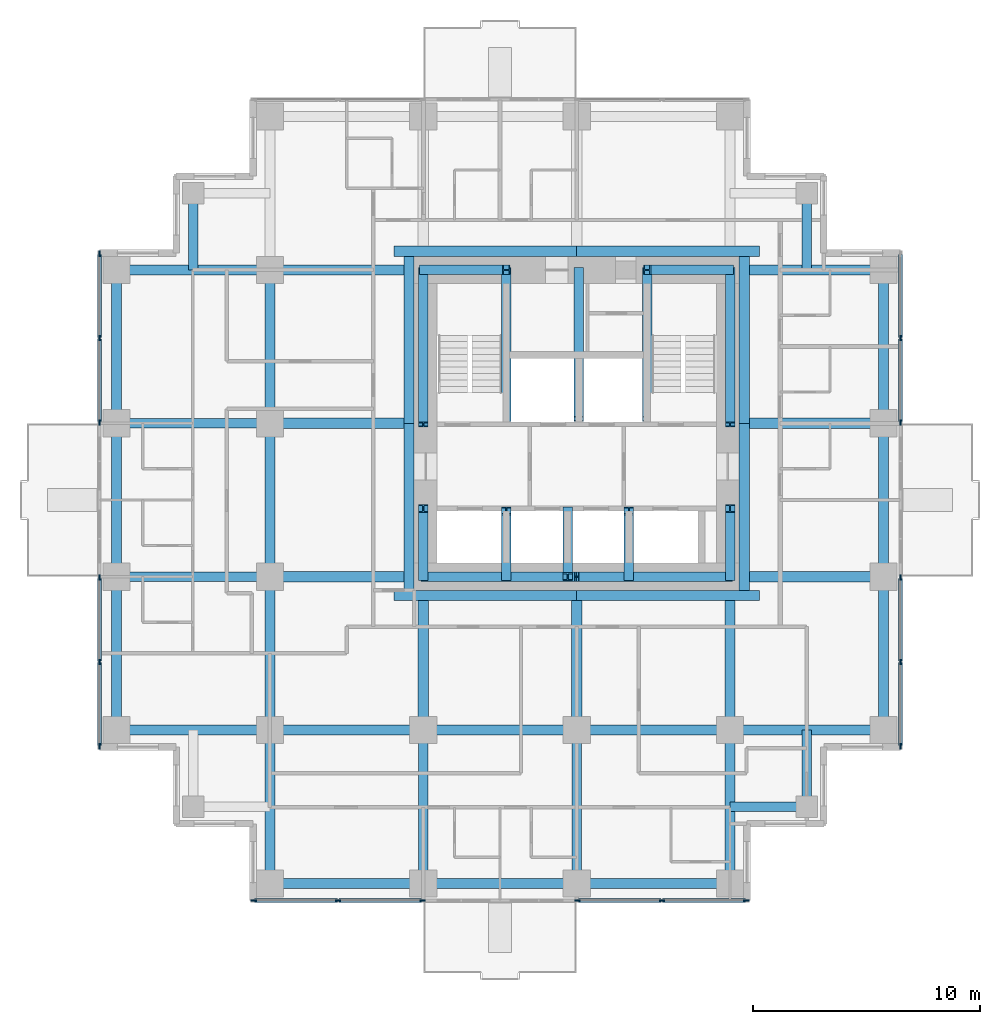
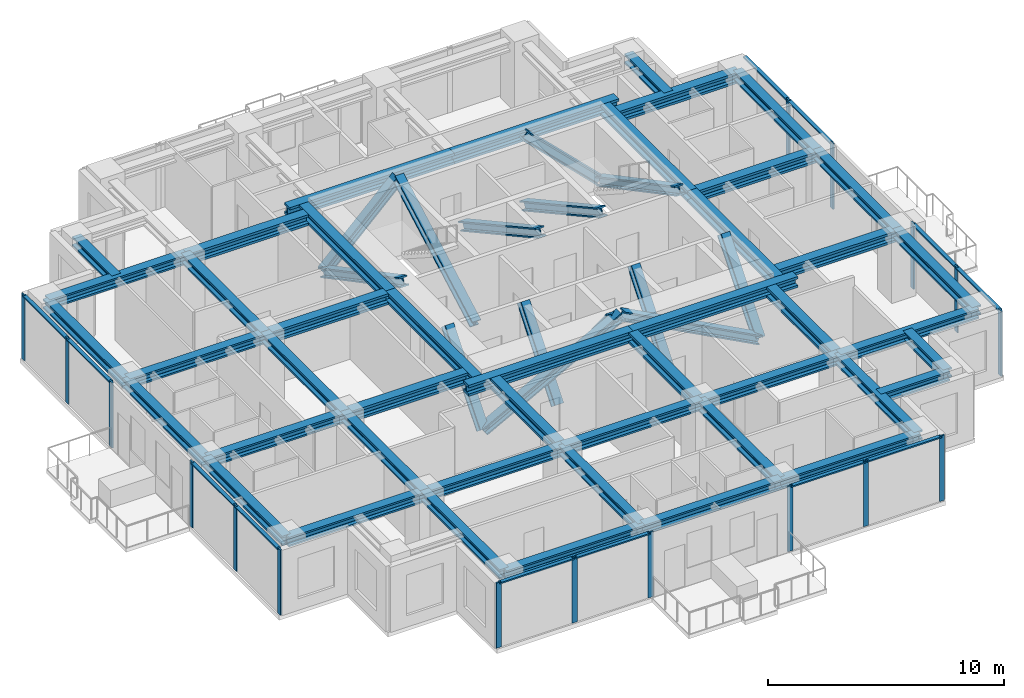
# One storey, part 2 of 10: 45 beams, 43 members, 6 elements without a shape of their own.
"""IFC4 building model written with IfcOpenShell, lengths in metres."""

from ifc_helpers import new_model, si_unit, direction, frame, origin, origin_2d, place, context, subcontext, project, spatial, rectangle, i_section, extrude, material, material_profile, profile_set, type_object, element, aggregate, save


model = new_model("IFC4")

# Units and contexts
model_context = context("Model", 3, precision=1e-05, world=origin(), true_north=direction((0.0, 1.0)))
body_context = subcontext(model_context, "Body", "Model", "MODEL_VIEW")
ifc_project = project(units=[si_unit("LENGTHUNIT", "METRE"), si_unit("AREAUNIT", "SQUARE_METRE"), si_unit("VOLUMEUNIT", "CUBIC_METRE"), si_unit("PLANEANGLEUNIT", "RADIAN"), si_unit("MASSUNIT", "GRAM", prefix="KILO")], contexts=[model_context])

# Site, building, storey
site_placement = place(None, origin())
site = spatial("IfcSite", under=ifc_project, at=site_placement, CompositionType="ELEMENT")
building_placement = place(site_placement, origin())
building = spatial("IfcBuilding", under=site, at=building_placement, Name="Nyansa Garden Tower", CompositionType="ELEMENT")
storey_placement = place(building_placement, frame((0.0, 0.0, 192.60009765625)))
storey = spatial("IfcBuildingStorey", under=building, at=storey_placement, Name="L52", CompositionType="ELEMENT", Elevation=192.60009765625)

# Curtain wall, members
ifc_material_1 = material(Name="Black anodised aluminium, dark tinted double glazing", Category="aluminium")
curtain_wall_type = type_object("IfcCurtainWallType", Name="Inner skin curtain wall ISW-C", PredefinedType="USERDEFINED", material=ifc_material_1)
curtain_wall_1_placement = place(storey_placement, origin())
curtain_wall_1 = element("IfcCurtainWall", 1, at=curtain_wall_1_placement, inside=storey, type_object=curtain_wall_type, Name="Inner skin curtain wall L52 E", ObjectType="UNITISED CURTAIN WALL", PredefinedType="USERDEFINED")
ifc_material_2 = material(Name="Black anodised aluminium", Category="aluminium")
ifc_material_profile_1 = material_profile(ifc_material_2, rectangle(XDim=0.070068359375, YDim=0.25, at=origin_2d()), Name="Mullion 250x70")
ifc_profile_set_1 = profile_set([ifc_material_profile_1], Name="Black anodised aluminium")
member_type_1 = type_object("IfcMemberType", Name="Mullion ISW-C 250x70", PredefinedType="MULLION", material=ifc_profile_set_1)
member_1_placement = place(storey_placement, frame((34.5, 6.034912109375, 0.0), z_axis=(0.0, 0.0, 1.0), x_axis=(-1.0, 0.0, 0.0)))
member_1 = element("IfcMember", 2, at=member_1_placement, type_object=member_type_1, Name="ISW-C mullion 1", PredefinedType="MULLION", context=body_context, shape_type="SweptSolid", body=[
    extrude(rectangle(XDim=0.070068359375, YDim=0.25, at=origin_2d()), origin(), (0.0, 0.0, 1.0), 3.375),
])
member_2_placement = place(storey_placement, frame((34.5, 9.75, 0.0), z_axis=(0.0, 0.0, 1.0), x_axis=(-1.0, 0.0, 0.0)))
member_2 = element("IfcMember", 3, at=member_2_placement, type_object=member_type_1, Name="ISW-C mullion 2", PredefinedType="MULLION", context=body_context, shape_type="SweptSolid", body=[
    extrude(rectangle(XDim=0.070068359375, YDim=0.25, at=origin_2d()), origin(), (0.0, 0.0, 1.0), 3.375),
])
member_3_placement = place(storey_placement, frame((34.5, 13.465087890625, 0.0), z_axis=(0.0, 0.0, 1.0), x_axis=(-1.0, 0.0, 0.0)))
member_3 = element("IfcMember", 4, at=member_3_placement, type_object=member_type_1, Name="ISW-C mullion 3", PredefinedType="MULLION", context=body_context, shape_type="SweptSolid", body=[
    extrude(rectangle(XDim=0.070068359375, YDim=0.25, at=origin_2d()), origin(), (0.0, 0.0, 1.0), 3.375),
])

curtain_wall_2_placement = place(storey_placement, origin())
curtain_wall_2 = element("IfcCurtainWall", 5, at=curtain_wall_2_placement, inside=storey, type_object=curtain_wall_type, Name="Inner skin curtain wall L52 E", ObjectType="UNITISED CURTAIN WALL", PredefinedType="USERDEFINED")
member_4_placement = place(storey_placement, frame((34.5, 20.284912109375, 0.0), z_axis=(0.0, 0.0, 1.0), x_axis=(-1.0, 0.0, 0.0)))
member_4 = element("IfcMember", 6, at=member_4_placement, type_object=member_type_1, Name="ISW-C mullion 1", PredefinedType="MULLION", context=body_context, shape_type="SweptSolid", body=[
    extrude(rectangle(XDim=0.070068359375, YDim=0.25, at=origin_2d()), origin(), (0.0, 0.0, 1.0), 3.375),
])
member_5_placement = place(storey_placement, frame((34.5, 24.0, 0.0), z_axis=(0.0, 0.0, 1.0), x_axis=(-1.0, 0.0, 0.0)))
member_5 = element("IfcMember", 7, at=member_5_placement, type_object=member_type_1, Name="ISW-C mullion 2", PredefinedType="MULLION", context=body_context, shape_type="SweptSolid", body=[
    extrude(rectangle(XDim=0.070068359375, YDim=0.25, at=origin_2d()), origin(), (0.0, 0.0, 1.0), 3.375),
])

curtain_wall_3_placement = place(storey_placement, origin())
curtain_wall_3 = element("IfcCurtainWall", 8, at=curtain_wall_3_placement, inside=storey, type_object=curtain_wall_type, Name="Inner skin curtain wall L52 W", ObjectType="UNITISED CURTAIN WALL", PredefinedType="USERDEFINED")
member_6_placement = place(storey_placement, frame((-0.75, 13.465087890625, 0.0), z_axis=(0.0, 0.0, 1.0), x_axis=(1.0, 0.0, 0.0)))
member_6 = element("IfcMember", 9, at=member_6_placement, type_object=member_type_1, Name="ISW-C mullion 1", PredefinedType="MULLION", context=body_context, shape_type="SweptSolid", body=[
    extrude(rectangle(XDim=0.070068359375, YDim=0.25, at=origin_2d()), origin(), (0.0, 0.0, 1.0), 3.375),
])
member_7_placement = place(storey_placement, frame((-0.75, 9.75, 0.0), z_axis=(0.0, 0.0, 1.0), x_axis=(1.0, 0.0, 0.0)))
member_7 = element("IfcMember", 10, at=member_7_placement, type_object=member_type_1, Name="ISW-C mullion 2", PredefinedType="MULLION", context=body_context, shape_type="SweptSolid", body=[
    extrude(rectangle(XDim=0.070068359375, YDim=0.25, at=origin_2d()), origin(), (0.0, 0.0, 1.0), 3.375),
])
member_8_placement = place(storey_placement, frame((-0.75, 6.034912109375, 0.0), z_axis=(0.0, 0.0, 1.0), x_axis=(1.0, 0.0, 0.0)))
member_8 = element("IfcMember", 11, at=member_8_placement, type_object=member_type_1, Name="ISW-C mullion 3", PredefinedType="MULLION", context=body_context, shape_type="SweptSolid", body=[
    extrude(rectangle(XDim=0.070068359375, YDim=0.25, at=origin_2d()), origin(), (0.0, 0.0, 1.0), 3.375),
])

curtain_wall_4_placement = place(storey_placement, origin())
curtain_wall_4 = element("IfcCurtainWall", 12, at=curtain_wall_4_placement, inside=storey, type_object=curtain_wall_type, Name="Inner skin curtain wall L52 W", ObjectType="UNITISED CURTAIN WALL", PredefinedType="USERDEFINED")
member_9_placement = place(storey_placement, frame((-0.75, 27.715087890625, 0.0), z_axis=(0.0, 0.0, 1.0), x_axis=(1.0, 0.0, 0.0)))
member_9 = element("IfcMember", 13, at=member_9_placement, type_object=member_type_1, Name="ISW-C mullion 1", PredefinedType="MULLION", context=body_context, shape_type="SweptSolid", body=[
    extrude(rectangle(XDim=0.070068359375, YDim=0.25, at=origin_2d()), origin(), (0.0, 0.0, 1.0), 3.375),
])
member_10_placement = place(storey_placement, frame((-0.75, 24.0, 0.0), z_axis=(0.0, 0.0, 1.0), x_axis=(1.0, 0.0, 0.0)))
member_10 = element("IfcMember", 14, at=member_10_placement, type_object=member_type_1, Name="ISW-C mullion 2", PredefinedType="MULLION", context=body_context, shape_type="SweptSolid", body=[
    extrude(rectangle(XDim=0.070068359375, YDim=0.25, at=origin_2d()), origin(), (0.0, 0.0, 1.0), 3.375),
])
member_11_placement = place(storey_placement, frame((-0.75, 20.284912109375, 0.0), z_axis=(0.0, 0.0, 1.0), x_axis=(1.0, 0.0, 0.0)))
member_11 = element("IfcMember", 15, at=member_11_placement, type_object=member_type_1, Name="ISW-C mullion 3", PredefinedType="MULLION", context=body_context, shape_type="SweptSolid", body=[
    extrude(rectangle(XDim=0.070068359375, YDim=0.25, at=origin_2d()), origin(), (0.0, 0.0, 1.0), 3.375),
])

curtain_wall_5_placement = place(storey_placement, origin())
curtain_wall_5 = element("IfcCurtainWall", 16, at=curtain_wall_5_placement, inside=storey, type_object=curtain_wall_type, Name="Inner skin curtain wall L52 S", ObjectType="UNITISED CURTAIN WALL", PredefinedType="USERDEFINED")
member_12_placement = place(storey_placement, frame((6.034912109375, -0.75, 0.0), z_axis=(0.0, 0.0, 1.0), x_axis=(0.0, 1.0, 0.0)))
member_12 = element("IfcMember", 17, at=member_12_placement, type_object=member_type_1, Name="ISW-C mullion 1", PredefinedType="MULLION", context=body_context, shape_type="SweptSolid", body=[
    extrude(rectangle(XDim=0.070068359375, YDim=0.25, at=origin_2d()), origin(), (0.0, 0.0, 1.0), 3.375),
])
member_13_placement = place(storey_placement, frame((9.75, -0.75, 0.0), z_axis=(0.0, 0.0, 1.0), x_axis=(0.0, 1.0, 0.0)))
member_13 = element("IfcMember", 18, at=member_13_placement, type_object=member_type_1, Name="ISW-C mullion 2", PredefinedType="MULLION", context=body_context, shape_type="SweptSolid", body=[
    extrude(rectangle(XDim=0.070068359375, YDim=0.25, at=origin_2d()), origin(), (0.0, 0.0, 1.0), 3.375),
])
member_14_placement = place(storey_placement, frame((13.465087890625, -0.75, 0.0), z_axis=(0.0, 0.0, 1.0), x_axis=(0.0, 1.0, 0.0)))
member_14 = element("IfcMember", 19, at=member_14_placement, type_object=member_type_1, Name="ISW-C mullion 3", PredefinedType="MULLION", context=body_context, shape_type="SweptSolid", body=[
    extrude(rectangle(XDim=0.070068359375, YDim=0.25, at=origin_2d()), origin(), (0.0, 0.0, 1.0), 3.375),
])

curtain_wall_6_placement = place(storey_placement, origin())
curtain_wall_6 = element("IfcCurtainWall", 20, at=curtain_wall_6_placement, inside=storey, type_object=curtain_wall_type, Name="Inner skin curtain wall L52 S", ObjectType="UNITISED CURTAIN WALL", PredefinedType="USERDEFINED")
member_15_placement = place(storey_placement, frame((20.284912109375, -0.75, 0.0), z_axis=(0.0, 0.0, 1.0), x_axis=(0.0, 1.0, 0.0)))
member_15 = element("IfcMember", 21, at=member_15_placement, type_object=member_type_1, Name="ISW-C mullion 1", PredefinedType="MULLION", context=body_context, shape_type="SweptSolid", body=[
    extrude(rectangle(XDim=0.070068359375, YDim=0.25, at=origin_2d()), origin(), (0.0, 0.0, 1.0), 3.375),
])
member_16_placement = place(storey_placement, frame((24.0, -0.75, 0.0), z_axis=(0.0, 0.0, 1.0), x_axis=(0.0, 1.0, 0.0)))
member_16 = element("IfcMember", 22, at=member_16_placement, type_object=member_type_1, Name="ISW-C mullion 2", PredefinedType="MULLION", context=body_context, shape_type="SweptSolid", body=[
    extrude(rectangle(XDim=0.070068359375, YDim=0.25, at=origin_2d()), origin(), (0.0, 0.0, 1.0), 3.375),
])
member_17_placement = place(storey_placement, frame((27.715087890625, -0.75, 0.0), z_axis=(0.0, 0.0, 1.0), x_axis=(0.0, 1.0, 0.0)))
member_17 = element("IfcMember", 23, at=member_17_placement, type_object=member_type_1, Name="ISW-C mullion 3", PredefinedType="MULLION", context=body_context, shape_type="SweptSolid", body=[
    extrude(rectangle(XDim=0.070068359375, YDim=0.25, at=origin_2d()), origin(), (0.0, 0.0, 1.0), 3.375),
])

# Members
ifc_material_3 = material(Name="Steel S355", Category="steel")
ifc_material_profile_2 = material_profile(ifc_material_3, i_section(OverallWidth=0.41796875, OverallDepth=0.455078125, WebThickness=0.0419921875, FlangeThickness=0.067626953125, FilletRadius=0.014892578125, at=origin_2d()), Name="HD 400x463")
ifc_profile_set_2 = profile_set([ifc_material_profile_2], Name="Steel S355")
member_type_2 = type_object("IfcMemberType", Name="Perimeter brace heavy HD 400x463", PredefinedType="BRACE", material=ifc_profile_set_2)
for number, where, z_axis, x_axis, name in (
    (24, (13.5, 13.5, 0.0), (0.882360891967, 0.0, 0.470573327259), (0.0, 1.0, 0.0), "Core brace CS1 L52"),
    (25, (27.0, 13.5, 0.0), (-0.882360891967, 0.0, 0.470573327259), (0.0, -1.0, 0.0), "Core brace CS2 L52"),
):
    element("IfcMember", number, at=place(storey_placement, frame(where, z_axis=z_axis, x_axis=x_axis)), inside=storey, type_object=member_type_2, Name=name, PredefinedType="BRACE", context=body_context, shape_type="SweptSolid", body=[
        extrude(i_section(OverallWidth=0.41796875, OverallDepth=0.455078125, WebThickness=0.0419921875, FlangeThickness=0.067626953125, FilletRadius=0.014892578125, at=origin_2d()), origin(), (0.0, 0.0, 1.0), 7.64990234375),
    ])
for number, where, z_axis, x_axis, name in (
    (26, (13.5, 27.0, 0.0), (0.711971340796, 0.0, 0.702208523079), (0.0, 1.0, 0.0), "Core brace CN3 L52"),
    (27, (27.0, 27.0, 0.0), (-0.711971340796, 0.0, 0.702208523079), (0.0, -1.0, 0.0), "Core brace CN4 L52"),
):
    element("IfcMember", number, at=place(storey_placement, frame(where, z_axis=z_axis, x_axis=x_axis)), inside=storey, type_object=member_type_2, Name=name, PredefinedType="BRACE", context=body_context, shape_type="SweptSolid", body=[
        extrude(i_section(OverallWidth=0.41796875, OverallDepth=0.455078125, WebThickness=0.0419921875, FlangeThickness=0.067626953125, FilletRadius=0.014892578125, at=origin_2d()), origin(), (0.0, 0.0, 1.0), 5.12646484375),
    ])
member_18_placement = place(storey_placement, frame((13.5, 13.5, 0.0), z_axis=(0.0, 0.640199773186, 0.768208468069), x_axis=(-1.0, 0.0, 0.0)))
element("IfcMember", 28, at=member_18_placement, inside=storey, type_object=member_type_2, Name="Core brace CW5 L52", PredefinedType="BRACE", context=body_context, shape_type="SweptSolid", body=[
    extrude(i_section(OverallWidth=0.41796875, OverallDepth=0.455078125, WebThickness=0.0419921875, FlangeThickness=0.067626953125, FilletRadius=0.014892578125, at=origin_2d()), origin(), (0.0, 0.0, 1.0), 4.68603515625),
])
member_19_placement = place(storey_placement, frame((13.5, 27.0, 0.0), z_axis=(0.0, -0.883797178129, 0.467870225524), x_axis=(1.0, 0.0, 0.0)))
element("IfcMember", 29, at=member_19_placement, inside=storey, type_object=member_type_2, Name="Core brace CW6 L52", PredefinedType="BRACE", context=body_context, shape_type="SweptSolid", body=[
    extrude(i_section(OverallWidth=0.41796875, OverallDepth=0.455078125, WebThickness=0.0419921875, FlangeThickness=0.067626953125, FilletRadius=0.014892578125, at=origin_2d()), origin(), (0.0, 0.0, 1.0), 7.694091796875),
])
member_20_placement = place(storey_placement, frame((27.0, 13.5, 0.0), z_axis=(0.0, 0.640199773186, 0.768208468069), x_axis=(-1.0, 0.0, 0.0)))
element("IfcMember", 30, at=member_20_placement, inside=storey, type_object=member_type_2, Name="Core brace CE7 L52", PredefinedType="BRACE", context=body_context, shape_type="SweptSolid", body=[
    extrude(i_section(OverallWidth=0.41796875, OverallDepth=0.455078125, WebThickness=0.0419921875, FlangeThickness=0.067626953125, FilletRadius=0.014892578125, at=origin_2d()), origin(), (0.0, 0.0, 1.0), 4.68603515625),
])
member_21_placement = place(storey_placement, frame((27.0, 27.0, 0.0), z_axis=(0.0, -0.883797178129, 0.467870225524), x_axis=(1.0, 0.0, 0.0)))
element("IfcMember", 31, at=member_21_placement, inside=storey, type_object=member_type_2, Name="Core brace CE8 L52", PredefinedType="BRACE", context=body_context, shape_type="SweptSolid", body=[
    extrude(i_section(OverallWidth=0.41796875, OverallDepth=0.455078125, WebThickness=0.0419921875, FlangeThickness=0.067626953125, FilletRadius=0.014892578125, at=origin_2d()), origin(), (0.0, 0.0, 1.0), 7.694091796875),
])
for number, where, z_axis, x_axis, name in (
    (32, (17.14990234375, 20.449951171875, 0.0), (0.0, 0.876366901673, 0.481644115143), (-1.0, 0.0, 0.0), "Core brace CWS9 L52"),
    (33, (23.35009765625, 27.0, 0.0), (0.0, -0.876366901673, 0.481644115143), (1.0, 0.0, 0.0), "Core brace CES10 L52"),
):
    element("IfcMember", number, at=place(storey_placement, frame(where, z_axis=z_axis, x_axis=x_axis)), inside=storey, type_object=member_type_2, Name=name, PredefinedType="BRACE", context=body_context, shape_type="SweptSolid", body=[
        extrude(i_section(OverallWidth=0.41796875, OverallDepth=0.455078125, WebThickness=0.0419921875, FlangeThickness=0.067626953125, FilletRadius=0.014892578125, at=origin_2d()), origin(), (0.0, 0.0, 1.0), 7.47412109375),
    ])
for number, where, z_axis, x_axis, name in (
    (34, (17.14990234375, 13.5, 0.0), (0.0, 0.627332207022, 0.778751758928), (-1.0, 0.0, 0.0), "Core brace CSW11 L52"),
    (35, (19.85009765625, 16.39990234375, 0.0), (0.0, -0.627332207022, 0.778751758928), (1.0, 0.0, 0.0), "Core brace CSW12 L52"),
    (36, (22.550048828125, 13.5, 0.0), (0.0, 0.627332207022, 0.778751758928), (-1.0, 0.0, 0.0), "Core brace CSW13 L52"),
):
    element("IfcMember", number, at=place(storey_placement, frame(where, z_axis=z_axis, x_axis=x_axis)), inside=storey, type_object=member_type_2, Name=name, PredefinedType="BRACE", context=body_context, shape_type="SweptSolid", body=[
        extrude(i_section(OverallWidth=0.41796875, OverallDepth=0.455078125, WebThickness=0.0419921875, FlangeThickness=0.067626953125, FilletRadius=0.014892578125, at=origin_2d()), origin(), (0.0, 0.0, 1.0), 4.62255859375),
    ])
member_22_placement = place(storey_placement, frame((20.35009765625, 27.0, 0.0), z_axis=(0.0, -0.876366901673, 0.481644115143), x_axis=(1.0, 0.0, 0.0)))
element("IfcMember", 37, at=member_22_placement, inside=storey, type_object=member_type_2, Name="Core brace CNW14 L52", PredefinedType="BRACE", context=body_context, shape_type="SweptSolid", body=[
    extrude(i_section(OverallWidth=0.41796875, OverallDepth=0.455078125, WebThickness=0.0419921875, FlangeThickness=0.067626953125, FilletRadius=0.014892578125, at=origin_2d()), origin(), (0.0, 0.0, 1.0), 7.47412109375),
])

# Beams
ifc_material_4 = material(Name="Steel S355", Category="steel")
ifc_material_profile_3 = material_profile(ifc_material_4, i_section(OverallWidth=0.431884765625, OverallDepth=0.498046875, WebThickness=0.0556640625, FlangeThickness=0.0888671875, FilletRadius=0.014892578125, at=origin_2d()), Name="HD 400x744")
ifc_profile_set_3 = profile_set([ifc_material_profile_3], Name="Steel S355")
beam_type_1 = type_object("IfcBeamType", Name="Steel beam SBC2-744 HD 400x744", PredefinedType="BEAM", material=ifc_profile_set_3)
for number, where, z_axis, x_axis, name in (
    (38, (0.0, 6.75, 3.1259765625), (1.0, 0.0, 0.0), (0.0, 1.0, 0.0), "Steel beam 2/E-3/E L53"),
    (39, (0.0, 13.5, 3.1259765625), (1.0, 0.0, 0.0), (0.0, 1.0, 0.0), "Steel beam 2/F-3/F L53"),
    (40, (0.0, 20.25, 3.1259765625), (1.0, 0.0, 0.0), (0.0, 1.0, 0.0), "Steel beam 2/G-3/G L53"),
    (41, (0.0, 27.0, 3.1259765625), (1.0, 0.0, 0.0), (0.0, 1.0, 0.0), "Steel beam 2/H-3/H L53"),
    (42, (6.75, 0.0, 3.1259765625), (0.0, 1.0, 0.0), (-1.0, 0.0, 0.0), "Steel beam 3/D-3/E L53"),
    (43, (6.75, 6.75, 3.1259765625), (0.0, 1.0, 0.0), (-1.0, 0.0, 0.0), "Steel beam 3/E-3/F L53"),
    (44, (6.75, 6.75, 3.1259765625), (1.0, 0.0, 0.0), (0.0, 1.0, 0.0), "Steel beam 3/E-4/E L53"),
    (45, (6.75, 13.5, 3.1259765625), (0.0, 1.0, 0.0), (-1.0, 0.0, 0.0), "Steel beam 3/F-3/G L53"),
    (46, (6.75, 20.25, 3.1259765625), (0.0, 1.0, 0.0), (-1.0, 0.0, 0.0), "Steel beam 3/G-3/H L53"),
    (47, (13.5, 0.0, 3.1259765625), (0.0, 1.0, 0.0), (-1.0, 0.0, 0.0), "Steel beam 4/D-4/E L53"),
    (48, (13.5, 6.75, 3.1259765625), (1.0, 0.0, 0.0), (0.0, 1.0, 0.0), "Steel beam 4/E-5/E L53"),
    (49, (20.25, 0.0, 3.1259765625), (0.0, 1.0, 0.0), (-1.0, 0.0, 0.0), "Steel beam 5/D-5/E L53"),
    (50, (20.25, 6.75, 3.1259765625), (1.0, 0.0, 0.0), (0.0, 1.0, 0.0), "Steel beam 5/E-6/E L53"),
    (51, (27.0, 0.0, 3.1259765625), (0.0, 1.0, 0.0), (-1.0, 0.0, 0.0), "Steel beam 6/D-6/E L53"),
    (52, (27.0, 6.75, 3.1259765625), (1.0, 0.0, 0.0), (0.0, 1.0, 0.0), "Steel beam 6/E-7/E L53"),
):
    element("IfcBeam", number, at=place(storey_placement, frame(where, z_axis=z_axis, x_axis=x_axis)), inside=storey, type_object=beam_type_1, Name=name, PredefinedType="BEAM", context=body_context, shape_type="SweptSolid", body=[
        extrude(i_section(OverallWidth=0.431884765625, OverallDepth=0.498046875, WebThickness=0.0556640625, FlangeThickness=0.0888671875, FilletRadius=0.014892578125, at=origin_2d()), origin(), (0.0, 0.0, 1.0), 6.75),
    ])
ifc_material_5 = material(Name="Steel S355", Category="steel")
ifc_material_profile_4 = material_profile(ifc_material_5, i_section(OverallWidth=0.4541015625, OverallDepth=0.569091796875, WebThickness=0.077880859375, FlangeThickness=0.125, FilletRadius=0.014892578125, at=origin_2d()), Name="HD 400x1086")
ifc_profile_set_4 = profile_set([ifc_material_profile_4], Name="Steel S355")
beam_type_2 = type_object("IfcBeamType", Name="Steel beam SCL-1086 HD 400x1086", PredefinedType="BEAM", material=ifc_profile_set_4)
for number, where, z_axis, x_axis, name in (
    (53, (6.75, 13.5, 3.09033203125), (1.0, 0.0, 0.0), (0.0, 1.0, 0.0), "Steel beam 3/F-12.650/F L53"),
    (54, (6.75, 20.25, 3.09033203125), (1.0, 0.0, 0.0), (0.0, 1.0, 0.0), "Steel beam 3/G-12.650/G L53"),
    (55, (6.75, 27.0, 3.09033203125), (1.0, 0.0, 0.0), (0.0, 1.0, 0.0), "Steel beam 3/H-12.650/H L53"),
):
    element("IfcBeam", number, at=place(storey_placement, frame(where, z_axis=z_axis, x_axis=x_axis)), inside=storey, type_object=beam_type_2, Name=name, PredefinedType="BEAM", context=body_context, shape_type="SweptSolid", body=[
        extrude(i_section(OverallWidth=0.4541015625, OverallDepth=0.569091796875, WebThickness=0.077880859375, FlangeThickness=0.125, FilletRadius=0.014892578125, at=origin_2d()), origin(), (0.0, 0.0, 1.0), 5.89990234375),
    ])
for number, where, z_axis, x_axis, name in (
    (56, (13.5, 6.75, 3.09033203125), (0.0, 1.0, 0.0), (-1.0, 0.0, 0.0), "Steel beam 4/E-4/12.450 L53"),
    (57, (20.25, 6.75, 3.09033203125), (0.0, 1.0, 0.0), (-1.0, 0.0, 0.0), "Steel beam 5/E-5/12.450 L53"),
    (58, (27.0, 6.75, 3.09033203125), (0.0, 1.0, 0.0), (-1.0, 0.0, 0.0), "Steel beam 6/E-6/12.450 L53"),
):
    element("IfcBeam", number, at=place(storey_placement, frame(where, z_axis=z_axis, x_axis=x_axis)), inside=storey, type_object=beam_type_2, Name=name, PredefinedType="BEAM", context=body_context, shape_type="SweptSolid", body=[
        extrude(i_section(OverallWidth=0.4541015625, OverallDepth=0.569091796875, WebThickness=0.077880859375, FlangeThickness=0.125, FilletRadius=0.014892578125, at=origin_2d()), origin(), (0.0, 0.0, 1.0), 5.699951171875),
    ])
for number, where, z_axis, x_axis, name in (
    (59, (27.85009765625, 13.5, 3.09033203125), (1.0, 0.0, 0.0), (0.0, 1.0, 0.0), "Steel beam 27.850/F-7/F L53"),
    (60, (27.85009765625, 20.25, 3.09033203125), (1.0, 0.0, 0.0), (0.0, 1.0, 0.0), "Steel beam 27.850/G-7/G L53"),
    (61, (27.85009765625, 27.0, 3.09033203125), (1.0, 0.0, 0.0), (0.0, 1.0, 0.0), "Steel beam 27.850/H-7/H L53"),
):
    element("IfcBeam", number, at=place(storey_placement, frame(where, z_axis=z_axis, x_axis=x_axis)), inside=storey, type_object=beam_type_2, Name=name, PredefinedType="BEAM", context=body_context, shape_type="SweptSolid", body=[
        extrude(i_section(OverallWidth=0.4541015625, OverallDepth=0.569091796875, WebThickness=0.077880859375, FlangeThickness=0.125, FilletRadius=0.014892578125, at=origin_2d()), origin(), (0.0, 0.0, 1.0), 5.89990234375),
    ])
for number, where, z_axis, x_axis, name in (
    (62, (12.199951171875, 12.673095703125, 3.09033203125), (1.0, 0.0, 0.0), (0.0, 1.0, 0.0), "Steel core ledger beam S.1 L53"),
    (63, (20.25, 12.673095703125, 3.09033203125), (1.0, 0.0, 0.0), (0.0, 1.0, 0.0), "Steel core ledger beam S.2 L53"),
):
    element("IfcBeam", number, at=place(storey_placement, frame(where, z_axis=z_axis, x_axis=x_axis)), inside=storey, type_object=beam_type_2, Name=name, PredefinedType="BEAM", context=body_context, shape_type="SweptSolid", body=[
        extrude(i_section(OverallWidth=0.4541015625, OverallDepth=0.569091796875, WebThickness=0.077880859375, FlangeThickness=0.125, FilletRadius=0.014892578125, at=origin_2d()), origin(), (0.0, 0.0, 1.0), 8.050048828125),
    ])
for number, where, z_axis, x_axis, name in (
    (64, (27.626953125, 12.89990234375, 3.09033203125), (0.0, 1.0, 0.0), (-1.0, 0.0, 0.0), "Steel core ledger beam E.1 L53"),
    (65, (27.626953125, 20.25, 3.09033203125), (0.0, 1.0, 0.0), (-1.0, 0.0, 0.0), "Steel core ledger beam E.2 L53"),
):
    element("IfcBeam", number, at=place(storey_placement, frame(where, z_axis=z_axis, x_axis=x_axis)), inside=storey, type_object=beam_type_2, Name=name, PredefinedType="BEAM", context=body_context, shape_type="SweptSolid", body=[
        extrude(i_section(OverallWidth=0.4541015625, OverallDepth=0.569091796875, WebThickness=0.077880859375, FlangeThickness=0.125, FilletRadius=0.014892578125, at=origin_2d()), origin(), (0.0, 0.0, 1.0), 7.35009765625),
    ])
for number, where, z_axis, x_axis, name in (
    (66, (28.300048828125, 27.826904296875, 3.09033203125), (-1.0, 0.0, 0.0), (0.0, -1.0, 0.0), "Steel core ledger beam N.1 L53"),
    (67, (20.25, 27.826904296875, 3.09033203125), (-1.0, 0.0, 0.0), (0.0, -1.0, 0.0), "Steel core ledger beam N.2 L53"),
):
    element("IfcBeam", number, at=place(storey_placement, frame(where, z_axis=z_axis, x_axis=x_axis)), inside=storey, type_object=beam_type_2, Name=name, PredefinedType="BEAM", context=body_context, shape_type="SweptSolid", body=[
        extrude(i_section(OverallWidth=0.4541015625, OverallDepth=0.569091796875, WebThickness=0.077880859375, FlangeThickness=0.125, FilletRadius=0.014892578125, at=origin_2d()), origin(), (0.0, 0.0, 1.0), 8.050048828125),
    ])
for number, where, z_axis, x_axis, name in (
    (68, (12.873046875, 27.60009765625, 3.09033203125), (0.0, -1.0, 0.0), (1.0, 0.0, 0.0), "Steel core ledger beam W.1 L53"),
    (69, (12.873046875, 20.25, 3.09033203125), (0.0, -1.0, 0.0), (1.0, 0.0, 0.0), "Steel core ledger beam W.2 L53"),
):
    element("IfcBeam", number, at=place(storey_placement, frame(where, z_axis=z_axis, x_axis=x_axis)), inside=storey, type_object=beam_type_2, Name=name, PredefinedType="BEAM", context=body_context, shape_type="SweptSolid", body=[
        extrude(i_section(OverallWidth=0.4541015625, OverallDepth=0.569091796875, WebThickness=0.077880859375, FlangeThickness=0.125, FilletRadius=0.014892578125, at=origin_2d()), origin(), (0.0, 0.0, 1.0), 7.35009765625),
    ])
ifc_material_6 = material(Name="Steel S355", Category="steel")
ifc_material_profile_5 = material_profile(ifc_material_6, i_section(OverallWidth=0.431884765625, OverallDepth=0.498046875, WebThickness=0.0556640625, FlangeThickness=0.0888671875, FilletRadius=0.014892578125, at=origin_2d()), Name="HD 400x744")
ifc_profile_set_5 = profile_set([ifc_material_profile_5], Name="Steel S355")
beam_type_3 = type_object("IfcBeamType", Name="Steel beam SEBC-744 HD 400x744", PredefinedType="BEAM", material=ifc_profile_set_5)
for number, where, z_axis, x_axis, name in (
    (70, (0.0, 6.75, 3.1259765625), (0.0, 1.0, 0.0), (-1.0, 0.0, 0.0), "Steel edge beam 2/E-2/F L53"),
    (71, (0.0, 13.5, 3.1259765625), (0.0, 1.0, 0.0), (-1.0, 0.0, 0.0), "Steel edge beam 2/F-2/G L53"),
    (72, (0.0, 20.25, 3.1259765625), (0.0, 1.0, 0.0), (-1.0, 0.0, 0.0), "Steel edge beam 2/G-2/H L53"),
    (73, (6.75, 0.0, 3.1259765625), (1.0, 0.0, 0.0), (0.0, 1.0, 0.0), "Steel edge beam 3/D-4/D L53"),
    (74, (13.5, 0.0, 3.1259765625), (1.0, 0.0, 0.0), (0.0, 1.0, 0.0), "Steel edge beam 4/D-5/D L53"),
    (75, (20.25, 0.0, 3.1259765625), (1.0, 0.0, 0.0), (0.0, 1.0, 0.0), "Steel edge beam 5/D-6/D L53"),
    (76, (33.75, 6.75, 3.1259765625), (0.0, 1.0, 0.0), (-1.0, 0.0, 0.0), "Steel edge beam 7/E-7/F L53"),
    (77, (33.75, 13.5, 3.1259765625), (0.0, 1.0, 0.0), (-1.0, 0.0, 0.0), "Steel edge beam 7/F-7/G L53"),
    (78, (33.75, 20.25, 3.1259765625), (0.0, 1.0, 0.0), (-1.0, 0.0, 0.0), "Steel edge beam 7/G-7/H L53"),
):
    element("IfcBeam", number, at=place(storey_placement, frame(where, z_axis=z_axis, x_axis=x_axis)), inside=storey, type_object=beam_type_3, Name=name, PredefinedType="BEAM", context=body_context, shape_type="SweptSolid", body=[
        extrude(i_section(OverallWidth=0.431884765625, OverallDepth=0.498046875, WebThickness=0.0556640625, FlangeThickness=0.0888671875, FilletRadius=0.014892578125, at=origin_2d()), origin(), (0.0, 0.0, 1.0), 6.75),
    ])
ifc_material_7 = material(Name="Steel S355", Category="steel")
ifc_material_profile_6 = material_profile(ifc_material_7, i_section(OverallWidth=0.431884765625, OverallDepth=0.498046875, WebThickness=0.0556640625, FlangeThickness=0.0888671875, FilletRadius=0.014892578125, at=origin_2d()), Name="HD 400x744")
ifc_profile_set_6 = profile_set([ifc_material_profile_6], Name="Steel S355")
beam_type_4 = type_object("IfcBeamType", Name="Steel beam SSB1-744 HD 400x744", PredefinedType="BEAM", material=ifc_profile_set_6)
for number, where, z_axis, x_axis, name in (
    (79, (30.375, 3.375, 3.1259765625), (0.0, 1.0, 0.0), (-1.0, 0.0, 0.0), "Steel step beam 30.375/3.375 L53"),
    (80, (30.375, 3.375, 3.1259765625), (-1.0, 0.0, 0.0), (0.0, -1.0, 0.0), "Steel step beam 30.375/3.375 L53"),
    (81, (30.375, 30.375, 3.1259765625), (0.0, -1.0, 0.0), (1.0, 0.0, 0.0), "Steel step beam 30.375/30.375 L53"),
    (82, (3.375, 30.375, 3.1259765625), (0.0, -1.0, 0.0), (1.0, 0.0, 0.0), "Steel step beam 3.375/30.375 L53"),
):
    element("IfcBeam", number, at=place(storey_placement, frame(where, z_axis=z_axis, x_axis=x_axis)), inside=storey, type_object=beam_type_4, Name=name, PredefinedType="BEAM", context=body_context, shape_type="SweptSolid", body=[
        extrude(i_section(OverallWidth=0.431884765625, OverallDepth=0.498046875, WebThickness=0.0556640625, FlangeThickness=0.0888671875, FilletRadius=0.014892578125, at=origin_2d()), origin(), (0.0, 0.0, 1.0), 3.375),
    ])

# Member
ifc_material_8 = material(Name="Black anodised aluminium", Category="aluminium")
ifc_material_profile_7 = material_profile(ifc_material_8, rectangle(XDim=0.179931640625, YDim=0.070068359375, at=origin_2d()), Name="Transom 180x70")
ifc_profile_set_7 = profile_set([ifc_material_profile_7], Name="Black anodised aluminium")
member_type_3 = type_object("IfcMemberType", Name="Transom ISW-C 180x70", PredefinedType="USERDEFINED", material=ifc_profile_set_7)
member_23_placement = place(storey_placement, frame((34.5, 6.070068359375, 3.33984375), z_axis=(0.0, 1.0, 0.0), x_axis=(-1.0, 0.0, 0.0)))
member_23 = element("IfcMember", 83, at=member_23_placement, type_object=member_type_3, Name="ISW-C transom 1", ObjectType="TRANSOM", PredefinedType="USERDEFINED", context=body_context, shape_type="SweptSolid", body=[
    extrude(rectangle(XDim=0.179931640625, YDim=0.070068359375, at=origin_2d()), origin(), (0.0, 0.0, 1.0), 3.64501953125),
])

member_24_placement = place(storey_placement, frame((34.5, 9.784912109375, 3.33984375), z_axis=(0.0, 1.0, 0.0), x_axis=(-1.0, 0.0, 0.0)))
member_24 = element("IfcMember", 84, at=member_24_placement, type_object=member_type_3, Name="ISW-C transom 2", ObjectType="TRANSOM", PredefinedType="USERDEFINED", context=body_context, shape_type="SweptSolid", body=[
    extrude(rectangle(XDim=0.179931640625, YDim=0.070068359375, at=origin_2d()), origin(), (0.0, 0.0, 1.0), 3.64501953125),
])

aggregate(curtain_wall_1, [member_1, member_2, member_3, member_23, member_24])

member_25_placement = place(storey_placement, frame((34.5, 20.320068359375, 3.33984375), z_axis=(0.0, 1.0, 0.0), x_axis=(-1.0, 0.0, 0.0)))
member_25 = element("IfcMember", 85, at=member_25_placement, type_object=member_type_3, Name="ISW-C transom 1", ObjectType="TRANSOM", PredefinedType="USERDEFINED", context=body_context, shape_type="SweptSolid", body=[
    extrude(rectangle(XDim=0.179931640625, YDim=0.070068359375, at=origin_2d()), origin(), (0.0, 0.0, 1.0), 3.64501953125),
])

member_26_placement = place(storey_placement, frame((34.5, 24.034912109375, 3.33984375), z_axis=(0.0, 1.0, 0.0), x_axis=(-1.0, 0.0, 0.0)))
member_26 = element("IfcMember", 86, at=member_26_placement, type_object=member_type_3, Name="ISW-C transom 2", ObjectType="TRANSOM", PredefinedType="USERDEFINED", context=body_context, shape_type="SweptSolid", body=[
    extrude(rectangle(XDim=0.179931640625, YDim=0.070068359375, at=origin_2d()), origin(), (0.0, 0.0, 1.0), 3.64501953125),
])

aggregate(curtain_wall_2, [member_4, member_5, member_25, member_26])

member_27_placement = place(storey_placement, frame((-0.75, 13.429931640625, 3.33984375), z_axis=(0.0, -1.0, 0.0), x_axis=(1.0, 0.0, 0.0)))
member_27 = element("IfcMember", 87, at=member_27_placement, type_object=member_type_3, Name="ISW-C transom 1", ObjectType="TRANSOM", PredefinedType="USERDEFINED", context=body_context, shape_type="SweptSolid", body=[
    extrude(rectangle(XDim=0.179931640625, YDim=0.070068359375, at=origin_2d()), origin(), (0.0, 0.0, 1.0), 3.64501953125),
])

member_28_placement = place(storey_placement, frame((-0.75, 9.715087890625, 3.33984375), z_axis=(0.0, -1.0, 0.0), x_axis=(1.0, 0.0, 0.0)))
member_28 = element("IfcMember", 88, at=member_28_placement, type_object=member_type_3, Name="ISW-C transom 2", ObjectType="TRANSOM", PredefinedType="USERDEFINED", context=body_context, shape_type="SweptSolid", body=[
    extrude(rectangle(XDim=0.179931640625, YDim=0.070068359375, at=origin_2d()), origin(), (0.0, 0.0, 1.0), 3.64501953125),
])

aggregate(curtain_wall_3, [member_6, member_7, member_8, member_27, member_28])

member_29_placement = place(storey_placement, frame((-0.75, 27.679931640625, 3.33984375), z_axis=(0.0, -1.0, 0.0), x_axis=(1.0, 0.0, 0.0)))
member_29 = element("IfcMember", 89, at=member_29_placement, type_object=member_type_3, Name="ISW-C transom 1", ObjectType="TRANSOM", PredefinedType="USERDEFINED", context=body_context, shape_type="SweptSolid", body=[
    extrude(rectangle(XDim=0.179931640625, YDim=0.070068359375, at=origin_2d()), origin(), (0.0, 0.0, 1.0), 3.64501953125),
])

member_30_placement = place(storey_placement, frame((-0.75, 23.965087890625, 3.33984375), z_axis=(0.0, -1.0, 0.0), x_axis=(1.0, 0.0, 0.0)))
member_30 = element("IfcMember", 90, at=member_30_placement, type_object=member_type_3, Name="ISW-C transom 2", ObjectType="TRANSOM", PredefinedType="USERDEFINED", context=body_context, shape_type="SweptSolid", body=[
    extrude(rectangle(XDim=0.179931640625, YDim=0.070068359375, at=origin_2d()), origin(), (0.0, 0.0, 1.0), 3.64501953125),
])

aggregate(curtain_wall_4, [member_9, member_10, member_11, member_29, member_30])

member_31_placement = place(storey_placement, frame((6.070068359375, -0.75, 3.33984375), z_axis=(1.0, 0.0, 0.0), x_axis=(0.0, 1.0, 0.0)))
member_31 = element("IfcMember", 91, at=member_31_placement, type_object=member_type_3, Name="ISW-C transom 1", ObjectType="TRANSOM", PredefinedType="USERDEFINED", context=body_context, shape_type="SweptSolid", body=[
    extrude(rectangle(XDim=0.179931640625, YDim=0.070068359375, at=origin_2d()), origin(), (0.0, 0.0, 1.0), 3.64501953125),
])

member_32_placement = place(storey_placement, frame((9.784912109375, -0.75, 3.33984375), z_axis=(1.0, 0.0, 0.0), x_axis=(0.0, 1.0, 0.0)))
member_32 = element("IfcMember", 92, at=member_32_placement, type_object=member_type_3, Name="ISW-C transom 2", ObjectType="TRANSOM", PredefinedType="USERDEFINED", context=body_context, shape_type="SweptSolid", body=[
    extrude(rectangle(XDim=0.179931640625, YDim=0.070068359375, at=origin_2d()), origin(), (0.0, 0.0, 1.0), 3.64501953125),
])

aggregate(curtain_wall_5, [member_12, member_13, member_14, member_31, member_32])

member_33_placement = place(storey_placement, frame((20.320068359375, -0.75, 3.33984375), z_axis=(1.0, 0.0, 0.0), x_axis=(0.0, 1.0, 0.0)))
member_33 = element("IfcMember", 93, at=member_33_placement, type_object=member_type_3, Name="ISW-C transom 1", ObjectType="TRANSOM", PredefinedType="USERDEFINED", context=body_context, shape_type="SweptSolid", body=[
    extrude(rectangle(XDim=0.179931640625, YDim=0.070068359375, at=origin_2d()), origin(), (0.0, 0.0, 1.0), 3.64501953125),
])

member_34_placement = place(storey_placement, frame((24.034912109375, -0.75, 3.33984375), z_axis=(1.0, 0.0, 0.0), x_axis=(0.0, 1.0, 0.0)))
member_34 = element("IfcMember", 94, at=member_34_placement, type_object=member_type_3, Name="ISW-C transom 2", ObjectType="TRANSOM", PredefinedType="USERDEFINED", context=body_context, shape_type="SweptSolid", body=[
    extrude(rectangle(XDim=0.179931640625, YDim=0.070068359375, at=origin_2d()), origin(), (0.0, 0.0, 1.0), 3.64501953125),
])

aggregate(curtain_wall_6, [member_15, member_16, member_17, member_33, member_34])

save(model, "model.ifc")
